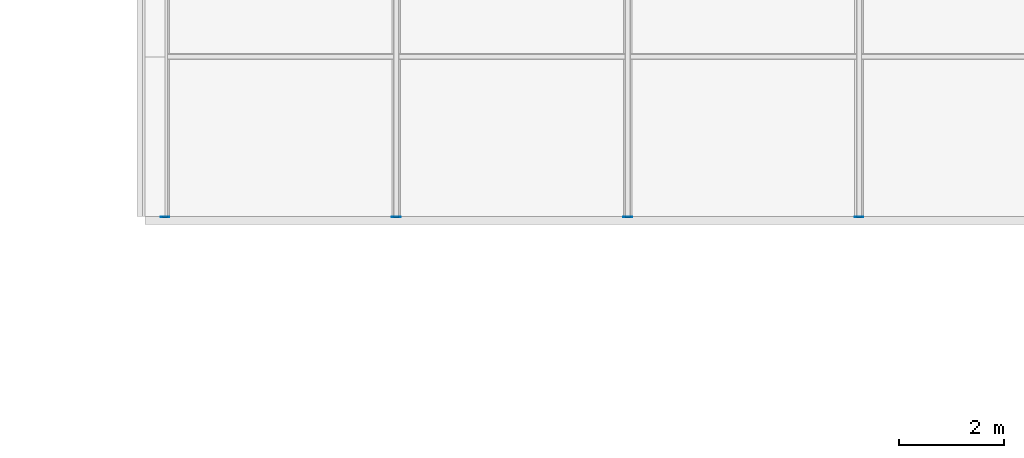
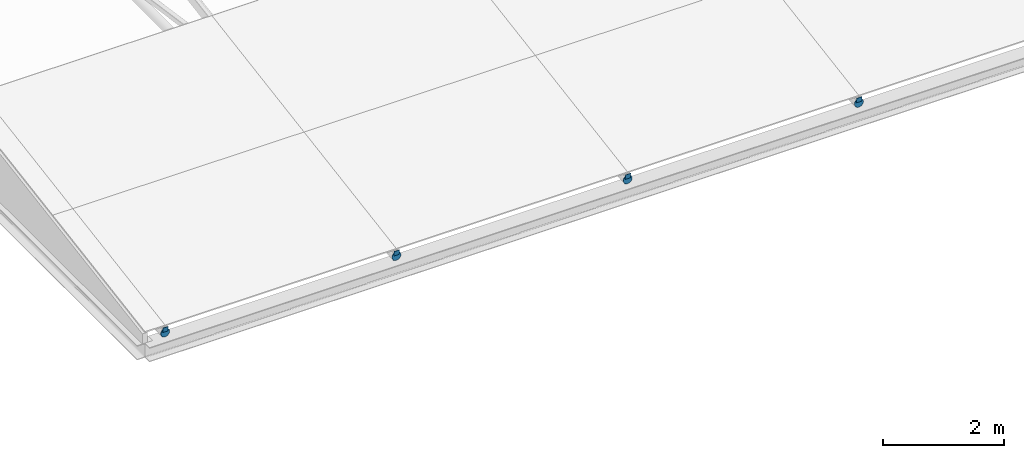
# One storey, part 51 of 69: 8 discrete accessories.
"""IFC4 building model written with IfcOpenShell, lengths in metres."""

from ifc_helpers import new_model, si_unit, direction, frame, origin, origin_2d, place, context, subcontext, project, spatial, rectangle, circle, extrude, material, material_profile, profile_set, type_object, element, save


model = new_model("IFC4")

# Units and contexts
model_context = context("Model", 3, precision=1e-05, world=origin(), true_north=direction((0.0, 1.0)))
body_context = subcontext(model_context, "Body", "Model", "MODEL_VIEW")
ifc_project = project(units=[si_unit("LENGTHUNIT", "METRE"), si_unit("AREAUNIT", "SQUARE_METRE"), si_unit("VOLUMEUNIT", "CUBIC_METRE"), si_unit("PLANEANGLEUNIT", "RADIAN"), si_unit("MASSUNIT", "GRAM", prefix="KILO")], contexts=[model_context])

# Site, building, storey
site_placement = place(None, origin())
site = spatial("IfcSite", under=ifc_project, at=site_placement, CompositionType="ELEMENT")
building_placement = place(site_placement, origin())
building = spatial("IfcBuilding", under=site, at=building_placement, Name="Kallimachos Central Library", CompositionType="ELEMENT")
storey_placement = place(building_placement, frame((0.0, 0.0, 23.39990234375)))
storey = spatial("IfcBuildingStorey", under=building, at=storey_placement, Name="L05", CompositionType="ELEMENT", Elevation=23.39990234375)

# Discrete accessories
ifc_material_1 = material(Name="Steel S355J2", Category="steel")
ifc_material_profile_1 = material_profile(ifc_material_1, rectangle(XDim=0.10009765625, YDim=0.199951171875, at=origin_2d()), Name="End cap plate 10, 100x200")
ifc_profile_set_1 = profile_set([ifc_material_profile_1], Name="Steel S355J2")
discrete_accessory_type_1 = type_object("IfcDiscreteAccessoryType", Name="End cap plate 10, 100x200", PredefinedType="BRACKET", material=ifc_profile_set_1)
for number, where, z_axis, x_axis, name in (
    (1, (74.800048828125, 56.91015625, 0.389892578125), (0.0, 0.988936352868, 0.14834045293), (-1.0, 0.0, 0.0), "End cap plate"),
    (2, (79.199951171875, 56.91015625, 0.389892578125), (0.0, 0.988936352868, 0.14834045293), (-1.0, 0.0, 0.0), "End cap plate"),
    (3, (83.60009765625, 56.91015625, 0.389892578125), (0.0, 0.988936352868, 0.14834045293), (-1.0, 0.0, 0.0), "End cap plate"),
    (4, (88.0, 56.91015625, 0.389892578125), (0.0, 0.988936352868, 0.14834045293), (-1.0, 0.0, 0.0), "End cap plate"),
):
    element("IfcDiscreteAccessory", number, at=place(storey_placement, frame(where, z_axis=z_axis, x_axis=x_axis)), inside=storey, type_object=discrete_accessory_type_1, Name=name, PredefinedType="BRACKET", context=body_context, shape_type="SweptSolid", body=[
        extrude(rectangle(XDim=0.10009765625, YDim=0.199951171875, at=origin_2d()), origin(), (0.0, 0.0, 1.0), 0.009765625),
    ])
ifc_material_2 = material(Name="Steel S355J2", Category="steel")
ifc_material_profile_2 = material_profile(ifc_material_2, circle(Radius=0.084228515625, at=origin_2d()), Name="End cap plate 10, round 168.3")
ifc_profile_set_2 = profile_set([ifc_material_profile_2], Name="Steel S355J2")
discrete_accessory_type_2 = type_object("IfcDiscreteAccessoryType", Name="End cap plate 10, round 168.3", PredefinedType="BRACKET", material=ifc_profile_set_2)
for number, where, z_axis, x_axis, name in (
    (5, (74.800048828125, 56.909912109375, 0.374267578125), (0.0, 1.0, 0.0), (-1.0, 0.0, 0.0), "End cap plate"),
    (6, (79.199951171875, 56.909912109375, 0.374267578125), (0.0, 1.0, 0.0), (-1.0, 0.0, 0.0), "End cap plate"),
    (7, (83.60009765625, 56.909912109375, 0.374267578125), (0.0, 1.0, 0.0), (-1.0, 0.0, 0.0), "End cap plate"),
    (8, (88.0, 56.909912109375, 0.374267578125), (0.0, 1.0, 0.0), (-1.0, 0.0, 0.0), "End cap plate"),
):
    element("IfcDiscreteAccessory", number, at=place(storey_placement, frame(where, z_axis=z_axis, x_axis=x_axis)), inside=storey, type_object=discrete_accessory_type_2, Name=name, PredefinedType="BRACKET", context=body_context, shape_type="SweptSolid", body=[
        extrude(circle(Radius=0.084228515625, at=origin_2d()), origin(), (0.0, 0.0, 1.0), 0.010009765625),
    ])

save(model, "model.ifc")
